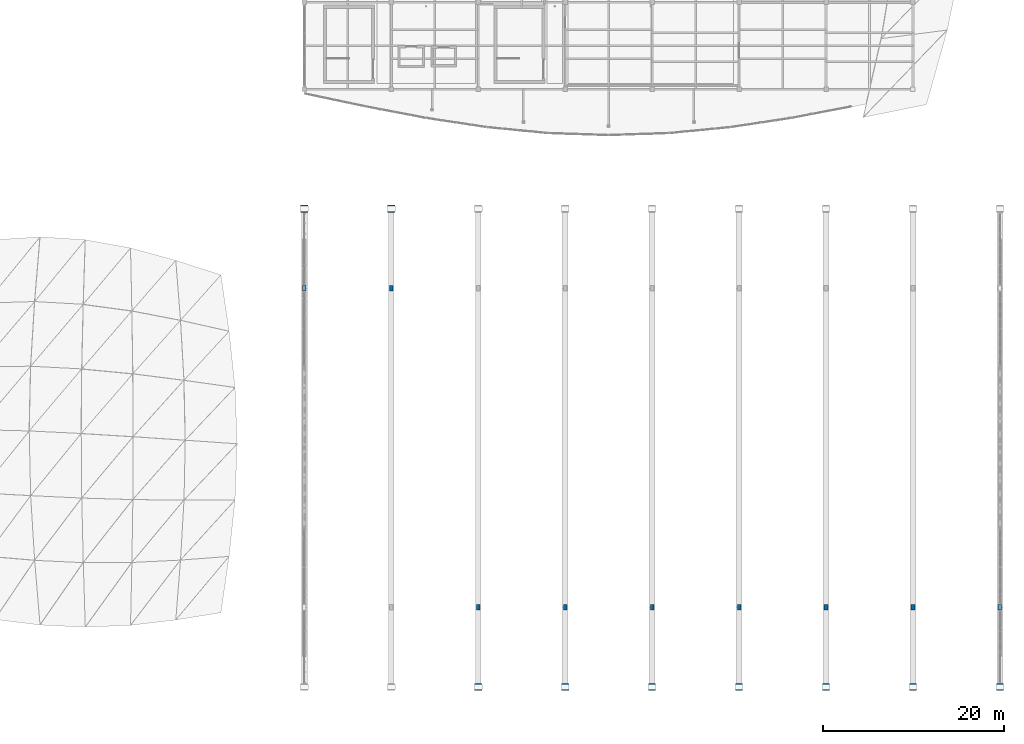
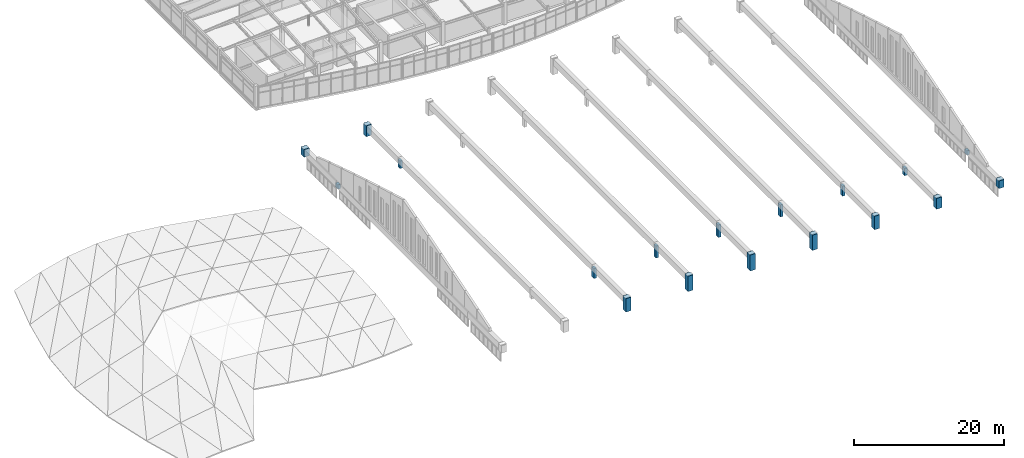
# One storey, part 2 of 65: 18 columns.
"""IFC4 building model written with IfcOpenShell, lengths in metres."""

from ifc_helpers import new_model, si_unit, direction, frame, origin, origin_2d, place, context, subcontext, project, spatial, rectangle, extrude, material, material_profile, profile_set, type_object, element, save


model = new_model("IFC4")

# Units and contexts
model_context = context("Model", 3, precision=1e-05, world=origin(), true_north=direction((0.0, 1.0)))
body_context = subcontext(model_context, "Body", "Model", "MODEL_VIEW")
ifc_project = project(units=[si_unit("LENGTHUNIT", "METRE"), si_unit("AREAUNIT", "SQUARE_METRE"), si_unit("VOLUMEUNIT", "CUBIC_METRE"), si_unit("PLANEANGLEUNIT", "RADIAN"), si_unit("MASSUNIT", "GRAM", prefix="KILO")], contexts=[model_context])

# Site, building, storey
site_placement = place(None, origin())
site = spatial("IfcSite", under=ifc_project, at=site_placement, CompositionType="ELEMENT")
building_placement = place(site_placement, origin())
building = spatial("IfcBuilding", under=site, at=building_placement, Name="Chalmorin Arch Market", CompositionType="ELEMENT")
storey_placement = place(building_placement, frame((0.0, 0.0, 14.10009765625)))
storey = spatial("IfcBuildingStorey", under=building, at=storey_placement, Name="L03", CompositionType="ELEMENT", Elevation=14.10009765625)

# Columns
ifc_material_1 = material(Name="Concrete C50/60", Category="concrete")
ifc_material_profile_1 = material_profile(ifc_material_1, rectangle(XDim=0.800048828125, YDim=0.800048828125, at=origin_2d()), Name="RC800X800")
ifc_profile_set_1 = profile_set([ifc_material_profile_1], Name="Concrete C50/60")
column_type_1 = type_object("IfcColumnType", Name="ArchPierColumn-800x800", PredefinedType="COLUMN", material=ifc_profile_set_1)
column_1_placement = place(storey_placement, frame((48.0, 58.800048828125, 0.0), z_axis=(0.0, 0.0, 1.0), x_axis=(1.0, 0.0, 0.0)))
element("IfcColumn", 1, at=column_1_placement, inside=storey, type_object=column_type_1, Name="C-AP1-224", PredefinedType="COLUMN", context=body_context, shape_type="SweptSolid", body=[
    extrude(rectangle(XDim=0.800048828125, YDim=0.800048828125, at=origin_2d()), origin(), (0.0, 0.0, 1.0), 1.25),
])
column_2_placement = place(storey_placement, frame((57.60009765625, 58.800048828125, 0.0), z_axis=(0.0, 0.0, 1.0), x_axis=(1.0, 0.0, 0.0)))
element("IfcColumn", 2, at=column_2_placement, inside=storey, type_object=column_type_1, Name="C-AP1-279", PredefinedType="COLUMN", context=body_context, shape_type="SweptSolid", body=[
    extrude(rectangle(XDim=0.800048828125, YDim=0.800048828125, at=origin_2d()), origin(), (0.0, 0.0, 1.0), 1.766845703125),
])
column_3_placement = place(storey_placement, frame((67.199951171875, 6.0, 0.0), z_axis=(0.0, 0.0, 1.0), x_axis=(1.0, 0.0, 0.0)))
element("IfcColumn", 3, at=column_3_placement, inside=storey, type_object=column_type_1, Name="C-AP1-316", PredefinedType="COLUMN", context=body_context, shape_type="SweptSolid", body=[
    extrude(rectangle(XDim=0.800048828125, YDim=0.800048828125, at=origin_2d()), origin(), (0.0, 0.0, 1.0), 2.204833984375),
])
column_4_placement = place(storey_placement, frame((76.800048828125, 6.0, 0.0), z_axis=(0.0, 0.0, 1.0), x_axis=(1.0, 0.0, 0.0)))
element("IfcColumn", 4, at=column_4_placement, inside=storey, type_object=column_type_1, Name="C-AP1-371", PredefinedType="COLUMN", context=body_context, shape_type="SweptSolid", body=[
    extrude(rectangle(XDim=0.800048828125, YDim=0.800048828125, at=origin_2d()), origin(), (0.0, 0.0, 1.0), 2.496826171875),
])
column_5_placement = place(storey_placement, frame((86.39990234375, 6.0, 0.0), z_axis=(0.0, 0.0, 1.0), x_axis=(1.0, 0.0, 0.0)))
element("IfcColumn", 5, at=column_5_placement, inside=storey, type_object=column_type_1, Name="C-AP1-426", PredefinedType="COLUMN", context=body_context, shape_type="SweptSolid", body=[
    extrude(rectangle(XDim=0.800048828125, YDim=0.800048828125, at=origin_2d()), origin(), (0.0, 0.0, 1.0), 2.599853515625),
])
column_6_placement = place(storey_placement, frame((96.0, 6.0, 0.0), z_axis=(0.0, 0.0, 1.0), x_axis=(1.0, 0.0, 0.0)))
element("IfcColumn", 6, at=column_6_placement, inside=storey, type_object=column_type_1, Name="C-AP1-481", PredefinedType="COLUMN", context=body_context, shape_type="SweptSolid", body=[
    extrude(rectangle(XDim=0.800048828125, YDim=0.800048828125, at=origin_2d()), origin(), (0.0, 0.0, 1.0), 2.496826171875),
])
column_7_placement = place(storey_placement, frame((105.60009765625, 6.0, 0.0), z_axis=(0.0, 0.0, 1.0), x_axis=(1.0, 0.0, 0.0)))
element("IfcColumn", 7, at=column_7_placement, inside=storey, type_object=column_type_1, Name="C-AP1-536", PredefinedType="COLUMN", context=body_context, shape_type="SweptSolid", body=[
    extrude(rectangle(XDim=0.800048828125, YDim=0.800048828125, at=origin_2d()), origin(), (0.0, 0.0, 1.0), 2.204833984375),
])
column_8_placement = place(storey_placement, frame((115.199951171875, 6.0, 0.0), z_axis=(0.0, 0.0, 1.0), x_axis=(1.0, 0.0, 0.0)))
element("IfcColumn", 8, at=column_8_placement, inside=storey, type_object=column_type_1, Name="C-AP1-591", PredefinedType="COLUMN", context=body_context, shape_type="SweptSolid", body=[
    extrude(rectangle(XDim=0.800048828125, YDim=0.800048828125, at=origin_2d()), origin(), (0.0, 0.0, 1.0), 1.766845703125),
])
column_9_placement = place(storey_placement, frame((124.800048828125, 6.0, 0.0), z_axis=(0.0, 0.0, 1.0), x_axis=(1.0, 0.0, 0.0)))
element("IfcColumn", 9, at=column_9_placement, inside=storey, type_object=column_type_1, Name="C-AP1-646", PredefinedType="COLUMN", context=body_context, shape_type="SweptSolid", body=[
    extrude(rectangle(XDim=0.800048828125, YDim=0.800048828125, at=origin_2d()), origin(), (0.0, 0.0, 1.0), 1.25),
])
ifc_material_2 = material(Name="Concrete C40/50", Category="concrete")
ifc_material_profile_2 = material_profile(ifc_material_2, rectangle(XDim=0.39990234375, YDim=0.60009765625, at=origin_2d()), Name="RC400X600")
ifc_profile_set_2 = profile_set([ifc_material_profile_2], Name="Concrete C40/50")
column_type_2 = type_object("IfcColumnType", Name="GalleryConcreteColumn-400x600", PredefinedType="COLUMN", material=ifc_profile_set_2)
column_10_placement = place(storey_placement, frame((48.0, 50.0, 0.0), z_axis=(0.0, 0.0, 1.0), x_axis=(1.0, 0.0, 0.0)))
element("IfcColumn", 10, at=column_10_placement, inside=storey, type_object=column_type_2, Name="C-RC5-219", PredefinedType="COLUMN", context=body_context, shape_type="SweptSolid", body=[
    extrude(rectangle(XDim=0.39990234375, YDim=0.60009765625, at=origin_2d()), origin(), (0.0, 0.0, 1.0), 0.699951171875),
])
column_11_placement = place(storey_placement, frame((57.60009765625, 50.0, 0.0), z_axis=(0.0, 0.0, 1.0), x_axis=(1.0, 0.0, 0.0)))
element("IfcColumn", 11, at=column_11_placement, inside=storey, type_object=column_type_2, Name="C-RC5-274", PredefinedType="COLUMN", context=body_context, shape_type="SweptSolid", body=[
    extrude(rectangle(XDim=0.39990234375, YDim=0.60009765625, at=origin_2d()), origin(), (0.0, 0.0, 1.0), 1.216796875),
])
column_12_placement = place(storey_placement, frame((67.199951171875, 14.800048828125, 0.0), z_axis=(0.0, 0.0, 1.0), x_axis=(1.0, 0.0, 0.0)))
element("IfcColumn", 12, at=column_12_placement, inside=storey, type_object=column_type_2, Name="C-RC5-321", PredefinedType="COLUMN", context=body_context, shape_type="SweptSolid", body=[
    extrude(rectangle(XDim=0.39990234375, YDim=0.60009765625, at=origin_2d()), origin(), (0.0, 0.0, 1.0), 1.65478515625),
])
column_13_placement = place(storey_placement, frame((76.800048828125, 14.800048828125, 0.0), z_axis=(0.0, 0.0, 1.0), x_axis=(1.0, 0.0, 0.0)))
element("IfcColumn", 13, at=column_13_placement, inside=storey, type_object=column_type_2, Name="C-RC5-376", PredefinedType="COLUMN", context=body_context, shape_type="SweptSolid", body=[
    extrude(rectangle(XDim=0.39990234375, YDim=0.60009765625, at=origin_2d()), origin(), (0.0, 0.0, 1.0), 1.947021484375),
])
column_14_placement = place(storey_placement, frame((86.39990234375, 14.800048828125, 0.0), z_axis=(0.0, 0.0, 1.0), x_axis=(1.0, 0.0, 0.0)))
element("IfcColumn", 14, at=column_14_placement, inside=storey, type_object=column_type_2, Name="C-RC5-431", PredefinedType="COLUMN", context=body_context, shape_type="SweptSolid", body=[
    extrude(rectangle(XDim=0.39990234375, YDim=0.60009765625, at=origin_2d()), origin(), (0.0, 0.0, 1.0), 2.0498046875),
])
column_15_placement = place(storey_placement, frame((96.0, 14.800048828125, 0.0), z_axis=(0.0, 0.0, 1.0), x_axis=(1.0, 0.0, 0.0)))
element("IfcColumn", 15, at=column_15_placement, inside=storey, type_object=column_type_2, Name="C-RC5-486", PredefinedType="COLUMN", context=body_context, shape_type="SweptSolid", body=[
    extrude(rectangle(XDim=0.39990234375, YDim=0.60009765625, at=origin_2d()), origin(), (0.0, 0.0, 1.0), 1.947021484375),
])
column_16_placement = place(storey_placement, frame((105.60009765625, 14.800048828125, 0.0), z_axis=(0.0, 0.0, 1.0), x_axis=(1.0, 0.0, 0.0)))
element("IfcColumn", 16, at=column_16_placement, inside=storey, type_object=column_type_2, Name="C-RC5-541", PredefinedType="COLUMN", context=body_context, shape_type="SweptSolid", body=[
    extrude(rectangle(XDim=0.39990234375, YDim=0.60009765625, at=origin_2d()), origin(), (0.0, 0.0, 1.0), 1.65478515625),
])
column_17_placement = place(storey_placement, frame((115.199951171875, 14.800048828125, 0.0), z_axis=(0.0, 0.0, 1.0), x_axis=(1.0, 0.0, 0.0)))
element("IfcColumn", 17, at=column_17_placement, inside=storey, type_object=column_type_2, Name="C-RC5-596", PredefinedType="COLUMN", context=body_context, shape_type="SweptSolid", body=[
    extrude(rectangle(XDim=0.39990234375, YDim=0.60009765625, at=origin_2d()), origin(), (0.0, 0.0, 1.0), 1.216796875),
])
column_18_placement = place(storey_placement, frame((124.800048828125, 14.800048828125, 0.0), z_axis=(0.0, 0.0, 1.0), x_axis=(1.0, 0.0, 0.0)))
element("IfcColumn", 18, at=column_18_placement, inside=storey, type_object=column_type_2, Name="C-RC5-651", PredefinedType="COLUMN", context=body_context, shape_type="SweptSolid", body=[
    extrude(rectangle(XDim=0.39990234375, YDim=0.60009765625, at=origin_2d()), origin(), (0.0, 0.0, 1.0), 0.699951171875),
])

save(model, "model.ifc")
